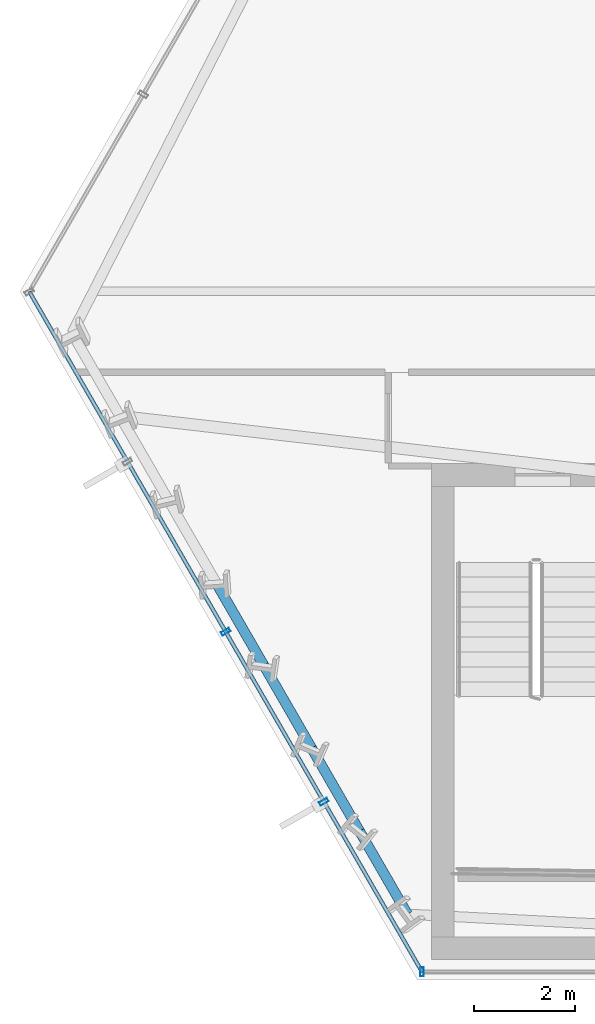
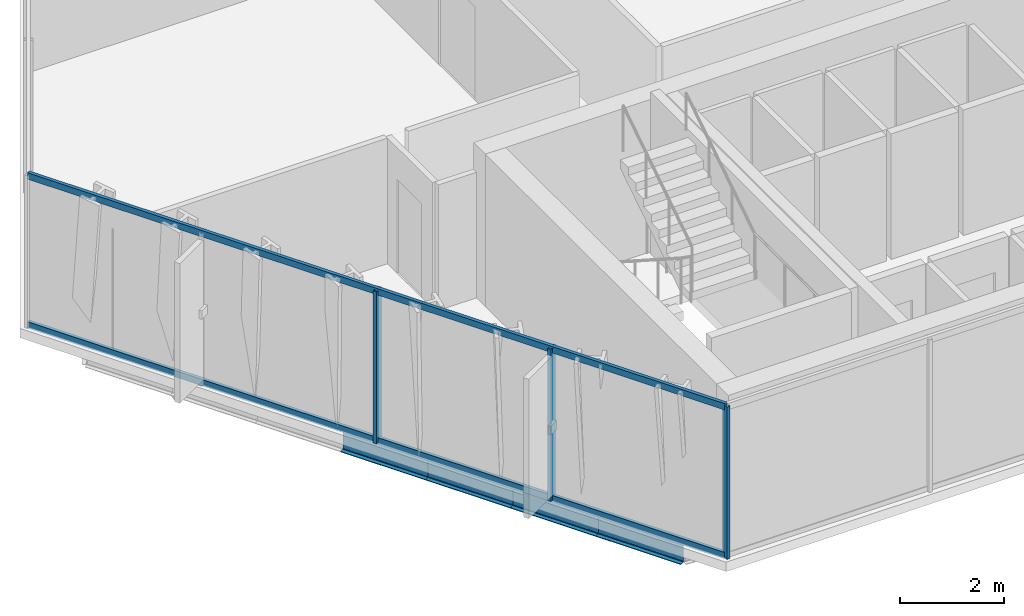
# One storey, part 2 of 32: 5 members, 4 beams, 2 elements without a shape of their own.
"""IFC4 building model written with IfcOpenShell, lengths in metres."""

from ifc_helpers import new_model, si_unit, direction, frame, origin, origin_2d, place, context, subcontext, project, spatial, hollow_rectangle, i_section, extrude, material, layer, layer_set, material_profile, profile_set, type_object, element, aggregate, save


model = new_model("IFC4")

# Units and contexts
model_context = context("Model", 3, precision=1e-05, world=origin(), true_north=direction((0.0, 1.0)))
body_context = subcontext(model_context, "Body", "Model", "MODEL_VIEW")
ifc_project = project(units=[si_unit("LENGTHUNIT", "METRE"), si_unit("AREAUNIT", "SQUARE_METRE"), si_unit("VOLUMEUNIT", "CUBIC_METRE"), si_unit("PLANEANGLEUNIT", "RADIAN"), si_unit("MASSUNIT", "GRAM", prefix="KILO")], contexts=[model_context])

# Site, building, storey
site_placement = place(None, origin())
site = spatial("IfcSite", under=ifc_project, at=site_placement, CompositionType="ELEMENT")
building_placement = place(site_placement, origin())
building = spatial("IfcBuilding", under=site, at=building_placement, Name="Ndaravel Arena Tower", CompositionType="ELEMENT")
storey_placement = place(building_placement, frame((0.0, 0.0, 66.39990234375)))
storey = spatial("IfcBuildingStorey", under=building, at=storey_placement, Name="L14", CompositionType="ELEMENT", Elevation=66.39990234375)

# Beams
ifc_material_1 = material(Name="Steel S355", Category="steel")
ifc_material_profile_1 = material_profile(ifc_material_1, i_section(OverallWidth=0.199951171875, OverallDepth=0.5, WebThickness=0.01025390625, FlangeThickness=0.01611328125, FilletRadius=0.02099609375, at=origin_2d()), Name="IPE 500")
ifc_profile_set_1 = profile_set([ifc_material_profile_1], Name="Steel S355")
beam_type = type_object("IfcBeamType", Name="BM-SPAN-IPE500", PredefinedType="SPANDREL", material=ifc_profile_set_1)
for number, where, z_axis, x_axis, name in (
    (1, (22.19091796875, 12.856689453125, -0.469970703125), (0.499912255713, -0.866076057046, 0.0), (0.866076057046, 0.499912255713, 0.0), "L14 Perimeter Spandrel Beam SP-23"),
    (2, (23.13720703125, 11.21728515625, -0.469970703125), (0.500064840575, -0.865987964824, 0.0), (0.865987964824, 0.500064840575, 0.0), "L14 Perimeter Spandrel Beam SP-24"),
):
    element("IfcBeam", number, at=place(storey_placement, frame(where, z_axis=z_axis, x_axis=x_axis)), inside=storey, type_object=beam_type, Name=name, PredefinedType="SPANDREL", context=body_context, shape_type="SweptSolid", body=[
        extrude(i_section(OverallWidth=0.199951171875, OverallDepth=0.5, WebThickness=0.01025390625, FlangeThickness=0.01611328125, FilletRadius=0.02099609375, at=origin_2d()), origin(), (0.0, 0.0, 1.0), 1.892822265625),
    ])
beam_1_placement = place(storey_placement, frame((24.083740234375, 9.578125, -0.469970703125), z_axis=(0.499968102766, -0.866043818878, 0.0), x_axis=(0.866043818878, 0.499968102766, 0.0)))
element("IfcBeam", 3, at=beam_1_placement, inside=storey, type_object=beam_type, Name="L14 Perimeter Spandrel Beam SP-25", PredefinedType="SPANDREL", context=body_context, shape_type="SweptSolid", body=[
    extrude(i_section(OverallWidth=0.199951171875, OverallDepth=0.5, WebThickness=0.01025390625, FlangeThickness=0.01611328125, FilletRadius=0.02099609375, at=origin_2d()), origin(), (0.0, 0.0, 1.0), 1.892578125),
])
beam_2_placement = place(storey_placement, frame((25.030029296875, 7.93896484375, -0.469970703125), z_axis=(0.50000898992, -0.86602021339, 0.0), x_axis=(0.86602021339, 0.50000898992, 0.0)))
element("IfcBeam", 4, at=beam_2_placement, inside=storey, type_object=beam_type, Name="L14 Perimeter Spandrel Beam SP-26", PredefinedType="SPANDREL", context=body_context, shape_type="SweptSolid", body=[
    extrude(i_section(OverallWidth=0.199951171875, OverallDepth=0.5, WebThickness=0.01025390625, FlangeThickness=0.01611328125, FilletRadius=0.02099609375, at=origin_2d()), origin(), (0.0, 0.0, 1.0), 1.89306640625),
])

# Curtain wall, member
ifc_material_2 = material(Name="Aluminium", Category="aluminium")
ifc_layer_1 = layer(ifc_material_2, 0.179931640625)
ifc_layer_set_1 = layer_set([ifc_layer_1], Name="Aluminium")
curtain_wall_type_1 = type_object("IfcCurtainWallType", Name="CW-SYS-03", PredefinedType="NOTDEFINED", material=ifc_layer_set_1)
curtain_wall_1_placement = place(storey_placement, origin())
curtain_wall_1 = element("IfcCurtainWall", 5, at=curtain_wall_1_placement, inside=storey, type_object=curtain_wall_type_1, Name="L14 Faceted Crystal Curtain Wall CW-L14-E01", PredefinedType="NOTDEFINED")
ifc_material_3 = material(Name="Aluminium", Category="aluminium")
ifc_material_profile_2 = material_profile(ifc_material_3, hollow_rectangle(XDim=0.074951171875, YDim=0.179931640625, WallThickness=0.00390625, at=origin_2d()), Name="CW MULLION 75x180x4")
ifc_profile_set_2 = profile_set([ifc_material_profile_2], Name="Aluminium")
member_type_1 = type_object("IfcMemberType", Name="MEM-CW-MUL180", PredefinedType="MULLION", material=ifc_profile_set_2)
member_1_placement = place(storey_placement, frame((26.264892578125, 5.159912109375, 0.0), z_axis=(0.0, 0.0, 1.0), x_axis=(1.0, 0.0, 0.0)))
member_1 = element("IfcMember", 6, at=member_1_placement, type_object=member_type_1, Name="CW-L14-E01 Mullion 00", PredefinedType="MULLION", context=body_context, shape_type="SweptSolid", body=[
    extrude(hollow_rectangle(XDim=0.074951171875, YDim=0.179931640625, WallThickness=0.00390625, at=origin_2d()), origin(), (0.0, 0.0, 1.0), 3.580078125),
])
aggregate(curtain_wall_1, [member_1])

# Curtain wall, members
ifc_material_4 = material(Name="Aluminium", Category="aluminium")
ifc_layer_2 = layer(ifc_material_4, 0.179931640625)
ifc_layer_set_2 = layer_set([ifc_layer_2], Name="Aluminium")
curtain_wall_type_2 = type_object("IfcCurtainWallType", Name="CW-SYS-02", PredefinedType="NOTDEFINED", material=ifc_layer_set_2)
curtain_wall_2_placement = place(storey_placement, origin())
curtain_wall_2 = element("IfcCurtainWall", 7, at=curtain_wall_2_placement, inside=storey, type_object=curtain_wall_type_2, Name="L14 Faceted Crystal Curtain Wall CW-L14-E06", PredefinedType="NOTDEFINED")
member_2_placement = place(storey_placement, frame((22.386962890625, 11.876953125, 0.0), z_axis=(0.0, 0.0, 1.0), x_axis=(0.5, -0.866025403784, 0.0)))
member_2 = element("IfcMember", 8, at=member_2_placement, type_object=member_type_1, Name="CW-L14-E06 Mullion 02", PredefinedType="MULLION", context=body_context, shape_type="SweptSolid", body=[
    extrude(hollow_rectangle(XDim=0.074951171875, YDim=0.179931640625, WallThickness=0.00390625, at=origin_2d()), origin(), (0.0, 0.0, 1.0), 3.580078125),
])
member_3_placement = place(storey_placement, frame((24.325927734375, 8.5185546875, 0.0), z_axis=(0.0, 0.0, 1.0), x_axis=(0.5, -0.866025403784, 0.0)))
member_3 = element("IfcMember", 9, at=member_3_placement, type_object=member_type_1, Name="CW-L14-E06 Mullion 03", PredefinedType="MULLION", context=body_context, shape_type="SweptSolid", body=[
    extrude(hollow_rectangle(XDim=0.074951171875, YDim=0.179931640625, WallThickness=0.00390625, at=origin_2d()), origin(), (0.0, 0.0, 1.0), 3.580078125),
])
ifc_material_5 = material(Name="Aluminium", Category="aluminium")
ifc_material_profile_3 = material_profile(ifc_material_5, hollow_rectangle(XDim=0.074951171875, YDim=0.14990234375, WallThickness=0.00390625, at=origin_2d()), Name="CW TRANSOM 75x150x4")
ifc_profile_set_3 = profile_set([ifc_material_profile_3], Name="Aluminium")
member_type_2 = type_object("IfcMemberType", Name="MEM-CW-TRN150", PredefinedType="USERDEFINED", material=ifc_profile_set_3)
member_4_placement = place(storey_placement, frame((18.5087890625, 18.593994140625, 0.0400390625), z_axis=(0.499996743158, -0.866027284115, 0.0), x_axis=(0.866027284115, 0.499996743158, 0.0)))
member_4 = element("IfcMember", 10, at=member_4_placement, type_object=member_type_2, Name="CW-L14-E06 Transom 01", ObjectType="TRANSOM", PredefinedType="USERDEFINED", context=body_context, shape_type="SweptSolid", body=[
    extrude(hollow_rectangle(XDim=0.074951171875, YDim=0.14990234375, WallThickness=0.00390625, at=origin_2d()), origin(), (0.0, 0.0, 1.0), 15.51220703125),
])
member_5_placement = place(storey_placement, frame((18.5087890625, 18.593994140625, 3.5400390625), z_axis=(0.499996743158, -0.866027284115, 0.0), x_axis=(0.866027284115, 0.499996743158, 0.0)))
member_5 = element("IfcMember", 11, at=member_5_placement, type_object=member_type_2, Name="CW-L14-E06 Transom 02", ObjectType="TRANSOM", PredefinedType="USERDEFINED", context=body_context, shape_type="SweptSolid", body=[
    extrude(hollow_rectangle(XDim=0.074951171875, YDim=0.14990234375, WallThickness=0.00390625, at=origin_2d()), origin(), (0.0, 0.0, 1.0), 15.51220703125),
])
aggregate(curtain_wall_2, [member_2, member_3, member_4, member_5])

save(model, "model.ifc")
